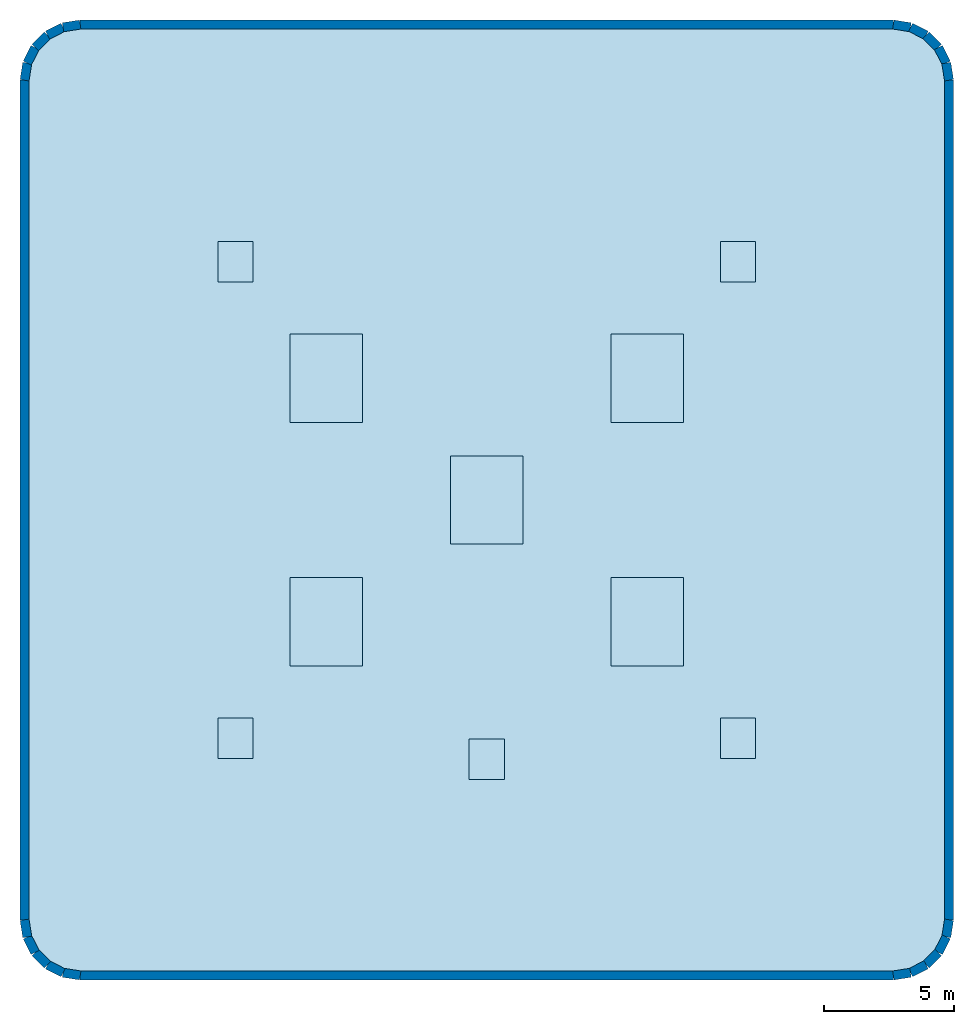
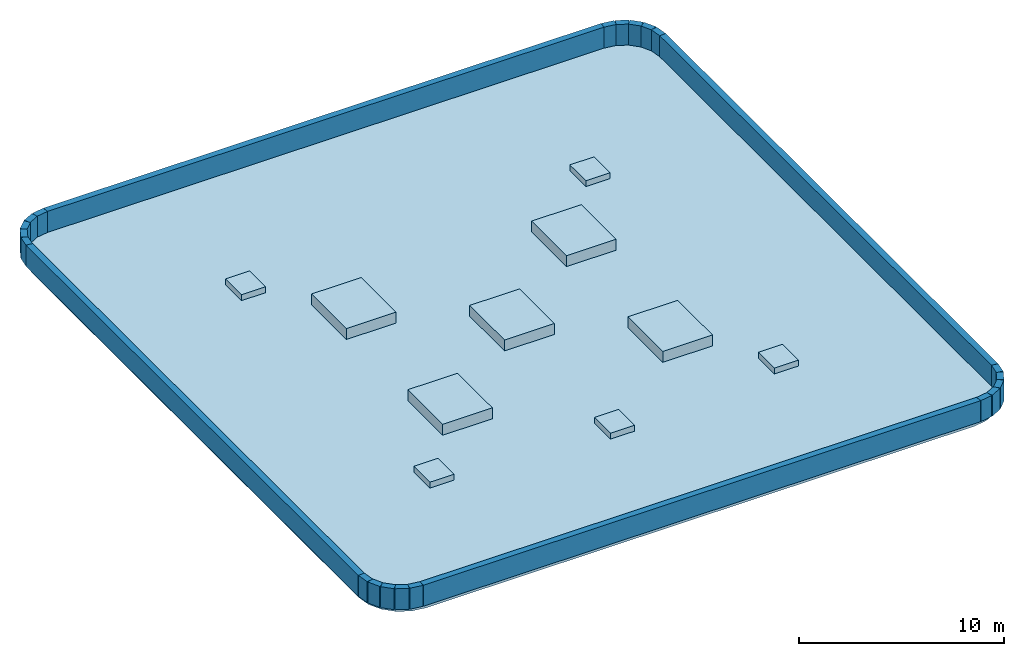
# One storey: 24 walls, 10 roofs, 1 slab.
"""IFC4 building model written with IfcOpenShell, lengths in metres."""

from ifc_helpers import new_model, si_unit, direction, frame, frame_2d, origin, place, context, subcontext, project, spatial, polyline, rectangle, outline, extrude, material, layer, layer_set, type_object, element, save


model = new_model("IFC4")

# Units and contexts
model_context = context("Model", 3, precision=1e-05, world=origin(), true_north=direction((0.0, 1.0)))
body_context = subcontext(model_context, "Body", "Model", "MODEL_VIEW")
ifc_project = project(units=[si_unit("LENGTHUNIT", "METRE"), si_unit("AREAUNIT", "SQUARE_METRE"), si_unit("VOLUMEUNIT", "CUBIC_METRE"), si_unit("PLANEANGLEUNIT", "RADIAN"), si_unit("MASSUNIT", "GRAM", prefix="KILO")], contexts=[model_context])

# Site, building, storey
site_placement = place(None, origin())
site = spatial("IfcSite", under=ifc_project, at=site_placement, CompositionType="ELEMENT")
building_placement = place(site_placement, origin())
building = spatial("IfcBuilding", under=site, at=building_placement, Name="Svetorya Sky Lyceum", CompositionType="ELEMENT")
storey_placement = place(building_placement, frame((0.0, 0.0, 323.60009765625)))
storey = spatial("IfcBuildingStorey", under=building, at=storey_placement, Name="RF", CompositionType="ELEMENT", Elevation=323.60009765625)

# Slab
ifc_material_1 = material(Name="Concrete C40/50", Category="concrete")
ifc_layer_1 = layer(ifc_material_1, 0.2900390625)
ifc_layer_set_1 = layer_set([ifc_layer_1], Name="Concrete C40/50")
slab_type = type_object("IfcSlabType", Name="SL-ROOF-290", PredefinedType="ROOF", material=ifc_layer_set_1)
slab_placement = place(storey_placement, frame((0.0, 0.0, -0.2900390625)))
element("IfcSlab", 1, at=slab_placement, inside=storey, type_object=slab_type, Name="RF Main Crown Roof Slab", PredefinedType="ROOF", context=body_context, shape_type="SweptSolid", body=[
    extrude(outline(polyline([(21.360107421875, 12.25), (21.4775390625, 11.50830078125), (21.818359375, 10.83935546875), (22.349365234375, 10.308349609375), (23.018310546875, 9.967529296875), (23.760009765625, 9.85009765625), (54.639892578125, 9.85009765625), (55.381591796875, 9.967529296875), (56.05078125, 10.308349609375), (56.58154296875, 10.83935546875), (56.922607421875, 11.50830078125), (57.0400390625, 12.25), (57.0400390625, 44.14990234375), (56.922607421875, 44.8916015625), (56.58154296875, 45.560791015625), (56.05078125, 46.091552734375), (55.381591796875, 46.4326171875), (54.639892578125, 46.550048828125), (23.760009765625, 46.550048828125), (23.018310546875, 46.4326171875), (22.349365234375, 46.091552734375), (21.818359375, 45.560791015625), (21.4775390625, 44.8916015625), (21.360107421875, 44.14990234375), (21.360107421875, 12.25)]), holes=[polyline([(39.800048828125, 18.89990234375), (39.800048828125, 17.5), (38.60009765625, 17.5), (38.60009765625, 18.89990234375), (39.800048828125, 18.89990234375)]), polyline([(30.10009765625, 19.699951171875), (30.10009765625, 18.300048828125), (28.89990234375, 18.300048828125), (28.89990234375, 19.699951171875), (30.10009765625, 19.699951171875)]), polyline([(49.5, 19.699951171875), (49.5, 18.300048828125), (48.300048828125, 18.300048828125), (48.300048828125, 19.699951171875), (49.5, 19.699951171875)]), polyline([(30.10009765625, 36.699951171875), (28.89990234375, 36.699951171875), (28.89990234375, 38.10009765625), (30.10009765625, 38.10009765625), (30.10009765625, 36.699951171875)]), polyline([(49.5, 36.699951171875), (48.300048828125, 36.699951171875), (48.300048828125, 38.10009765625), (49.5, 38.10009765625), (49.5, 36.699951171875)])]), origin(), (0.0, 0.0, 1.0), 0.2900390625),
])

# Walls
ifc_layer_2 = layer(ifc_material_1, 0.35009765625)
ifc_layer_set_2 = layer_set([ifc_layer_2], Name="Concrete C40/50")
wall_type = type_object("IfcWallType", Name="WL-KERB-350", PredefinedType="PARAPET", material=ifc_layer_set_2)
for number, where, z_axis, x_axis, name in (
    (2, (21.360107421875, 12.0, 0.0), (0.0, 0.0, 1.0), (0.156093058453, -0.987742353604, 0.0), "Crown Roof Perimeter Parapet Wall 1"),
    (3, (21.465087890625, 11.335693359375, 0.0), (0.0, 0.0, 1.0), (0.454023640144, -0.890989637533, 0.0), "Crown Roof Perimeter Parapet Wall 2"),
):
    element("IfcWall", number, at=place(storey_placement, frame(where, z_axis=z_axis, x_axis=x_axis)), inside=storey, type_object=wall_type, Name=name, PredefinedType="PARAPET", context=body_context, shape_type="SweptSolid", body=[
        extrude(rectangle(XDim=0.672607421875, YDim=0.35009765625, at=frame_2d((0.33642578125, 0.0))), origin(), (0.0, 0.0, 1.0), 1.25),
    ])
wall_1_placement = place(storey_placement, frame((21.7705078125, 10.736328125, 0.0), z_axis=(0.0, 0.0, 1.0), x_axis=(0.707106781187, -0.707106781187, 0.0)))
element("IfcWall", 4, at=wall_1_placement, inside=storey, type_object=wall_type, Name="Crown Roof Perimeter Parapet Wall 3", PredefinedType="PARAPET", context=body_context, shape_type="SweptSolid", body=[
    extrude(rectangle(XDim=0.6728515625, YDim=0.35009765625, at=frame_2d((0.33642578125, 0.0))), origin(), (0.0, 0.0, 1.0), 1.25),
])
for number, where, z_axis, x_axis, name in (
    (5, (22.246337890625, 10.260498046875, 0.0), (0.0, 0.0, 1.0), (0.890989637533, -0.454023640144, 0.0), "Crown Roof Perimeter Parapet Wall 4"),
    (6, (22.845703125, 9.955078125, 0.0), (0.0, 0.0, 1.0), (0.987742353604, -0.156093058453, 0.0), "Crown Roof Perimeter Parapet Wall 5"),
):
    element("IfcWall", number, at=place(storey_placement, frame(where, z_axis=z_axis, x_axis=x_axis)), inside=storey, type_object=wall_type, Name=name, PredefinedType="PARAPET", context=body_context, shape_type="SweptSolid", body=[
        extrude(rectangle(XDim=0.672607421875, YDim=0.35009765625, at=frame_2d((0.33642578125, 0.0))), origin(), (0.0, 0.0, 1.0), 1.25),
    ])
wall_2_placement = place(storey_placement, frame((23.510009765625, 9.85009765625, 0.0), z_axis=(0.0, 0.0, 1.0), x_axis=(1.0, 0.0, 0.0)))
element("IfcWall", 7, at=wall_2_placement, inside=storey, type_object=wall_type, Name="Crown Roof Perimeter Parapet Wall 6", PredefinedType="PARAPET", context=body_context, shape_type="SweptSolid", body=[
    extrude(rectangle(XDim=31.3798828125, YDim=0.35009765625, at=frame_2d((15.68994140625, 0.0))), origin(), (0.0, 0.0, 1.0), 1.25),
])
wall_3_placement = place(storey_placement, frame((54.889892578125, 9.85009765625, 0.0), z_axis=(0.0, 0.0, 1.0), x_axis=(0.987751193533, 0.156037109926, 0.0)))
element("IfcWall", 8, at=wall_3_placement, inside=storey, type_object=wall_type, Name="Crown Roof Perimeter Parapet Wall 7", PredefinedType="PARAPET", context=body_context, shape_type="SweptSolid", body=[
    extrude(rectangle(XDim=0.6728515625, YDim=0.35009765625, at=frame_2d((0.33642578125, 0.0))), origin(), (0.0, 0.0, 1.0), 1.25),
])
wall_4_placement = place(storey_placement, frame((55.554443359375, 9.955078125, 0.0), z_axis=(0.0, 0.0, 1.0), x_axis=(0.890989637533, 0.454023640144, 0.0)))
element("IfcWall", 9, at=wall_4_placement, inside=storey, type_object=wall_type, Name="Crown Roof Perimeter Parapet Wall 8", PredefinedType="PARAPET", context=body_context, shape_type="SweptSolid", body=[
    extrude(rectangle(XDim=0.672607421875, YDim=0.35009765625, at=frame_2d((0.33642578125, 0.0))), origin(), (0.0, 0.0, 1.0), 1.25),
])
wall_5_placement = place(storey_placement, frame((56.15380859375, 10.260498046875, 0.0), z_axis=(0.0, 0.0, 1.0), x_axis=(0.706925308905, 0.707288206907, 0.0)))
element("IfcWall", 10, at=wall_5_placement, inside=storey, type_object=wall_type, Name="Crown Roof Perimeter Parapet Wall 9", PredefinedType="PARAPET", context=body_context, shape_type="SweptSolid", body=[
    extrude(rectangle(XDim=0.6728515625, YDim=0.35009765625, at=frame_2d((0.33642578125, 0.0))), origin(), (0.0, 0.0, 1.0), 1.25),
])
for number, where, z_axis, x_axis, name in (
    (11, (56.62939453125, 10.736328125, 0.0), (0.0, 0.0, 1.0), (0.454023640144, 0.890989637533, 0.0), "Crown Roof Perimeter Parapet Wall 10"),
    (12, (56.934814453125, 11.335693359375, 0.0), (0.0, 0.0, 1.0), (0.156447190759, 0.987686324955, 0.0), "Crown Roof Perimeter Parapet Wall 11"),
):
    element("IfcWall", number, at=place(storey_placement, frame(where, z_axis=z_axis, x_axis=x_axis)), inside=storey, type_object=wall_type, Name=name, PredefinedType="PARAPET", context=body_context, shape_type="SweptSolid", body=[
        extrude(rectangle(XDim=0.672607421875, YDim=0.35009765625, at=frame_2d((0.33642578125, 0.0))), origin(), (0.0, 0.0, 1.0), 1.25),
    ])
wall_6_placement = place(storey_placement, frame((57.0400390625, 12.0, 0.0), z_axis=(0.0, 0.0, 1.0), x_axis=(0.0, 1.0, 0.0)))
element("IfcWall", 13, at=wall_6_placement, inside=storey, type_object=wall_type, Name="Crown Roof Perimeter Parapet Wall 12", PredefinedType="PARAPET", context=body_context, shape_type="SweptSolid", body=[
    extrude(rectangle(XDim=32.39990234375, YDim=0.35009765625, at=frame_2d((16.199951171875, 0.0))), origin(), (0.0, 0.0, 1.0), 1.25),
])
wall_7_placement = place(storey_placement, frame((57.0400390625, 44.39990234375, 0.0), z_axis=(0.0, 0.0, 1.0), x_axis=(-0.156391121659, 0.987695204537, 0.0)))
element("IfcWall", 14, at=wall_7_placement, inside=storey, type_object=wall_type, Name="Crown Roof Perimeter Parapet Wall 13", PredefinedType="PARAPET", context=body_context, shape_type="SweptSolid", body=[
    extrude(rectangle(XDim=0.6728515625, YDim=0.35009765625, at=frame_2d((0.33642578125, 0.0))), origin(), (0.0, 0.0, 1.0), 1.25),
])
for number, where, z_axis, x_axis, name in (
    (15, (56.934814453125, 45.064453125, 0.0), (0.0, 0.0, 1.0), (-0.454023640144, 0.890989637533, 0.0), "Crown Roof Perimeter Parapet Wall 14"),
    (16, (56.62939453125, 45.663818359375, 0.0), (0.0, 0.0, 1.0), (-0.707106781187, 0.707106781187, 0.0), "Crown Roof Perimeter Parapet Wall 15"),
    (17, (56.15380859375, 46.139404296875, 0.0), (0.0, 0.0, 1.0), (-0.890989637533, 0.454023640144, 0.0), "Crown Roof Perimeter Parapet Wall 16"),
):
    element("IfcWall", number, at=place(storey_placement, frame(where, z_axis=z_axis, x_axis=x_axis)), inside=storey, type_object=wall_type, Name=name, PredefinedType="PARAPET", context=body_context, shape_type="SweptSolid", body=[
        extrude(rectangle(XDim=0.672607421875, YDim=0.35009765625, at=frame_2d((0.33642578125, 0.0))), origin(), (0.0, 0.0, 1.0), 1.25),
    ])
wall_8_placement = place(storey_placement, frame((55.554443359375, 46.44482421875, 0.0), z_axis=(0.0, 0.0, 1.0), x_axis=(-0.987695204537, 0.156391121659, 0.0)))
element("IfcWall", 18, at=wall_8_placement, inside=storey, type_object=wall_type, Name="Crown Roof Perimeter Parapet Wall 17", PredefinedType="PARAPET", context=body_context, shape_type="SweptSolid", body=[
    extrude(rectangle(XDim=0.6728515625, YDim=0.35009765625, at=frame_2d((0.33642578125, 0.0))), origin(), (0.0, 0.0, 1.0), 1.25),
])
wall_9_placement = place(storey_placement, frame((54.889892578125, 46.550048828125, 0.0), z_axis=(0.0, 0.0, 1.0), x_axis=(-1.0, 0.0, 0.0)))
element("IfcWall", 19, at=wall_9_placement, inside=storey, type_object=wall_type, Name="Crown Roof Perimeter Parapet Wall 18", PredefinedType="PARAPET", context=body_context, shape_type="SweptSolid", body=[
    extrude(rectangle(XDim=31.3798828125, YDim=0.35009765625, at=frame_2d((15.68994140625, 0.0))), origin(), (0.0, 0.0, 1.0), 1.25),
])
for number, where, z_axis, x_axis, name in (
    (20, (23.510009765625, 46.550048828125, 0.0), (0.0, 0.0, 1.0), (-0.987686324955, -0.156447190759, 0.0), "Crown Roof Perimeter Parapet Wall 19"),
    (21, (22.845703125, 46.44482421875, 0.0), (0.0, 0.0, 1.0), (-0.890989637533, -0.454023640144, 0.0), "Crown Roof Perimeter Parapet Wall 20"),
):
    element("IfcWall", number, at=place(storey_placement, frame(where, z_axis=z_axis, x_axis=x_axis)), inside=storey, type_object=wall_type, Name=name, PredefinedType="PARAPET", context=body_context, shape_type="SweptSolid", body=[
        extrude(rectangle(XDim=0.672607421875, YDim=0.35009765625, at=frame_2d((0.33642578125, 0.0))), origin(), (0.0, 0.0, 1.0), 1.25),
    ])
wall_10_placement = place(storey_placement, frame((22.246337890625, 46.139404296875, 0.0), z_axis=(0.0, 0.0, 1.0), x_axis=(-0.707288206907, -0.706925308905, 0.0)))
element("IfcWall", 22, at=wall_10_placement, inside=storey, type_object=wall_type, Name="Crown Roof Perimeter Parapet Wall 21", PredefinedType="PARAPET", context=body_context, shape_type="SweptSolid", body=[
    extrude(rectangle(XDim=0.6728515625, YDim=0.35009765625, at=frame_2d((0.33642578125, 0.0))), origin(), (0.0, 0.0, 1.0), 1.25),
])
wall_11_placement = place(storey_placement, frame((21.7705078125, 45.663818359375, 0.0), z_axis=(0.0, 0.0, 1.0), x_axis=(-0.454023640144, -0.890989637533, 0.0)))
element("IfcWall", 23, at=wall_11_placement, inside=storey, type_object=wall_type, Name="Crown Roof Perimeter Parapet Wall 22", PredefinedType="PARAPET", context=body_context, shape_type="SweptSolid", body=[
    extrude(rectangle(XDim=0.672607421875, YDim=0.35009765625, at=frame_2d((0.33642578125, 0.0))), origin(), (0.0, 0.0, 1.0), 1.25),
])
wall_12_placement = place(storey_placement, frame((21.465087890625, 45.064453125, 0.0), z_axis=(0.0, 0.0, 1.0), x_axis=(-0.156037109926, -0.987751193533, 0.0)))
element("IfcWall", 24, at=wall_12_placement, inside=storey, type_object=wall_type, Name="Crown Roof Perimeter Parapet Wall 23", PredefinedType="PARAPET", context=body_context, shape_type="SweptSolid", body=[
    extrude(rectangle(XDim=0.6728515625, YDim=0.35009765625, at=frame_2d((0.33642578125, 0.0))), origin(), (0.0, 0.0, 1.0), 1.25),
])
wall_13_placement = place(storey_placement, frame((21.360107421875, 44.39990234375, 0.0), z_axis=(0.0, 0.0, 1.0), x_axis=(0.0, -1.0, 0.0)))
element("IfcWall", 25, at=wall_13_placement, inside=storey, type_object=wall_type, Name="Crown Roof Perimeter Parapet Wall 24", PredefinedType="PARAPET", context=body_context, shape_type="SweptSolid", body=[
    extrude(rectangle(XDim=32.39990234375, YDim=0.35009765625, at=frame_2d((16.199951171875, 0.0))), origin(), (0.0, 0.0, 1.0), 1.25),
])

# Roofs
ifc_material_2 = material(Name="Insulated galvanized aluminium roof maintenance hatch", Category="aluminium")
ifc_layer_3 = layer(ifc_material_2, 0.219970703125)
ifc_layer_set_3 = layer_set([ifc_layer_3], Name="Insulated galvanized aluminium roof maintenance hatch")
roof_type_1 = type_object("IfcRoofType", Name="RF-HATCH-1200", PredefinedType="FLAT_ROOF", material=ifc_layer_set_3)
roof_1_placement = place(storey_placement, origin())
element("IfcRoof", 26, at=roof_1_placement, inside=storey, type_object=roof_type_1, Name="Crown Roof Maintenance Hatch RHT-1", PredefinedType="FLAT_ROOF", context=body_context, shape_type="SweptSolid", body=[
    extrude(outline(polyline([(28.820068359375, 18.219970703125), (30.179931640625, 18.219970703125), (30.179931640625, 19.780029296875), (28.820068359375, 19.780029296875), (28.820068359375, 18.219970703125)])), origin(), (0.0, 0.0, 1.0), 0.349853515625),
])
roof_2_placement = place(storey_placement, origin())
element("IfcRoof", 27, at=roof_2_placement, inside=storey, type_object=roof_type_1, Name="Crown Roof Maintenance Hatch RHT-2", PredefinedType="FLAT_ROOF", context=body_context, shape_type="SweptSolid", body=[
    extrude(outline(polyline([(28.820068359375, 36.6201171875), (30.179931640625, 36.6201171875), (30.179931640625, 38.179931640625), (28.820068359375, 38.179931640625), (28.820068359375, 36.6201171875)])), origin(), (0.0, 0.0, 1.0), 0.349853515625),
])
roof_3_placement = place(storey_placement, origin())
element("IfcRoof", 28, at=roof_3_placement, inside=storey, type_object=roof_type_1, Name="Crown Roof Maintenance Hatch RHT-3", PredefinedType="FLAT_ROOF", context=body_context, shape_type="SweptSolid", body=[
    extrude(outline(polyline([(48.219970703125, 18.219970703125), (49.580078125, 18.219970703125), (49.580078125, 19.780029296875), (48.219970703125, 19.780029296875), (48.219970703125, 18.219970703125)])), origin(), (0.0, 0.0, 1.0), 0.349853515625),
])
roof_4_placement = place(storey_placement, origin())
element("IfcRoof", 29, at=roof_4_placement, inside=storey, type_object=roof_type_1, Name="Crown Roof Maintenance Hatch RHT-4", PredefinedType="FLAT_ROOF", context=body_context, shape_type="SweptSolid", body=[
    extrude(outline(polyline([(48.219970703125, 36.6201171875), (49.580078125, 36.6201171875), (49.580078125, 38.179931640625), (48.219970703125, 38.179931640625), (48.219970703125, 36.6201171875)])), origin(), (0.0, 0.0, 1.0), 0.349853515625),
])
roof_5_placement = place(storey_placement, origin())
element("IfcRoof", 30, at=roof_5_placement, inside=storey, type_object=roof_type_1, Name="Crown Roof Maintenance Hatch RHT-5", PredefinedType="FLAT_ROOF", context=body_context, shape_type="SweptSolid", body=[
    extrude(outline(polyline([(38.52001953125, 17.419921875), (39.8798828125, 17.419921875), (39.8798828125, 18.97998046875), (38.52001953125, 18.97998046875), (38.52001953125, 17.419921875)])), origin(), (0.0, 0.0, 1.0), 0.349853515625),
])
ifc_material_3 = material(Name="Thermally broken aluminium skylight with laminated triple glass", Category="aluminium")
ifc_layer_4 = layer(ifc_material_3, 0.239990234375)
ifc_layer_set_4 = layer_set([ifc_layer_4], Name="Thermally broken aluminium skylight with laminated triple glass")
roof_type_2 = type_object("IfcRoofType", Name="RF-SKYLIGHT-2800", PredefinedType="GABLE_ROOF", material=ifc_layer_set_4)
roof_6_placement = place(storey_placement, origin())
element("IfcRoof", 31, at=roof_6_placement, inside=storey, type_object=roof_type_2, Name="Crown Roof Lantern Skylight SKY-1", PredefinedType="GABLE_ROOF", context=body_context, shape_type="SweptSolid", body=[
    extrude(outline(polyline([(31.60009765625, 21.800048828125), (34.39990234375, 21.800048828125), (34.39990234375, 25.199951171875), (31.60009765625, 25.199951171875), (31.60009765625, 21.800048828125)])), origin(), (0.0, 0.0, 1.0), 0.64990234375),
])
roof_7_placement = place(storey_placement, origin())
element("IfcRoof", 32, at=roof_7_placement, inside=storey, type_object=roof_type_2, Name="Crown Roof Lantern Skylight SKY-2", PredefinedType="GABLE_ROOF", context=body_context, shape_type="SweptSolid", body=[
    extrude(outline(polyline([(44.0, 21.800048828125), (46.800048828125, 21.800048828125), (46.800048828125, 25.199951171875), (44.0, 25.199951171875), (44.0, 21.800048828125)])), origin(), (0.0, 0.0, 1.0), 0.64990234375),
])
roof_8_placement = place(storey_placement, origin())
element("IfcRoof", 33, at=roof_8_placement, inside=storey, type_object=roof_type_2, Name="Crown Roof Lantern Skylight SKY-3", PredefinedType="GABLE_ROOF", context=body_context, shape_type="SweptSolid", body=[
    extrude(outline(polyline([(31.60009765625, 31.199951171875), (34.39990234375, 31.199951171875), (34.39990234375, 34.60009765625), (31.60009765625, 34.60009765625), (31.60009765625, 31.199951171875)])), origin(), (0.0, 0.0, 1.0), 0.64990234375),
])
roof_9_placement = place(storey_placement, origin())
element("IfcRoof", 34, at=roof_9_placement, inside=storey, type_object=roof_type_2, Name="Crown Roof Lantern Skylight SKY-4", PredefinedType="GABLE_ROOF", context=body_context, shape_type="SweptSolid", body=[
    extrude(outline(polyline([(44.0, 31.199951171875), (46.800048828125, 31.199951171875), (46.800048828125, 34.60009765625), (44.0, 34.60009765625), (44.0, 31.199951171875)])), origin(), (0.0, 0.0, 1.0), 0.64990234375),
])
roof_10_placement = place(storey_placement, origin())
element("IfcRoof", 35, at=roof_10_placement, inside=storey, type_object=roof_type_2, Name="Crown Roof Lantern Skylight SKY-5", PredefinedType="GABLE_ROOF", context=body_context, shape_type="SweptSolid", body=[
    extrude(outline(polyline([(37.800048828125, 26.5), (40.60009765625, 26.5), (40.60009765625, 29.89990234375), (37.800048828125, 29.89990234375), (37.800048828125, 26.5)])), origin(), (0.0, 0.0, 1.0), 0.64990234375),
])

save(model, "model.ifc")
